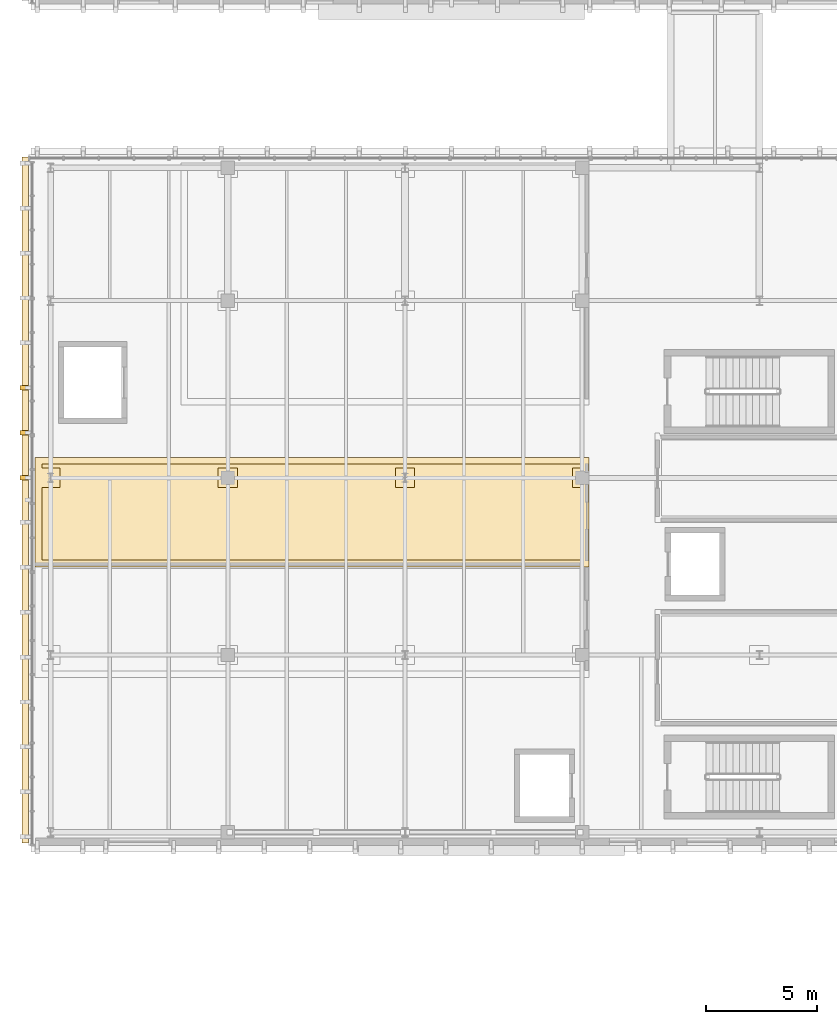
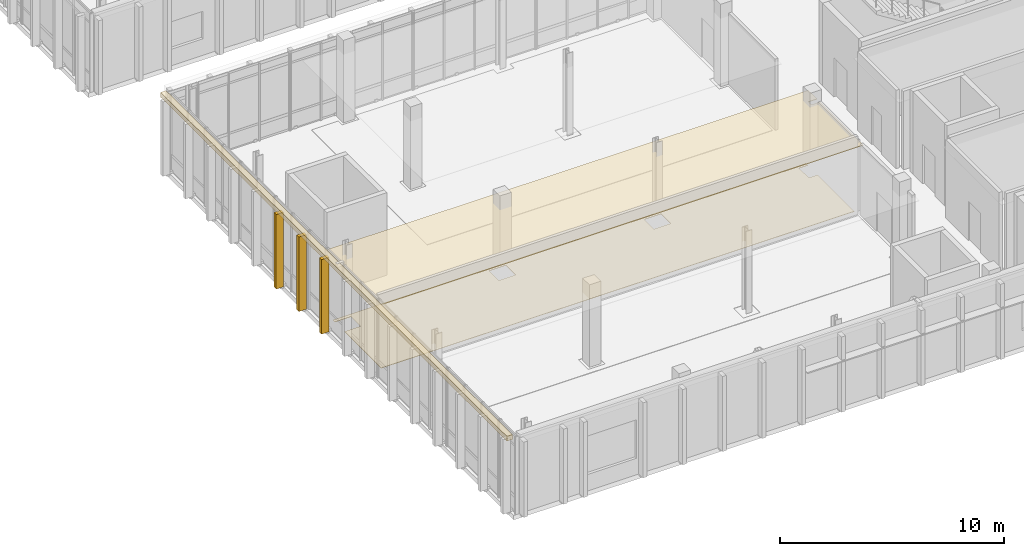
# One storey, part 53 of 62: 6 coverings.
"""IFC4 building model written with IfcOpenShell, lengths in metres."""

from ifc_helpers import new_model, si_unit, direction, frame, origin, origin_2d, place, context, subcontext, project, spatial, polyline, rectangle, outline, extrude, material, layer, layer_set, type_object, element, save


model = new_model("IFC4")

# Units and contexts
model_context = context("Model", 3, precision=1e-05, world=origin(), true_north=direction((0.0, 1.0)))
body_context = subcontext(model_context, "Body", "Model", "MODEL_VIEW")
ifc_project = project(units=[si_unit("LENGTHUNIT", "METRE"), si_unit("AREAUNIT", "SQUARE_METRE"), si_unit("VOLUMEUNIT", "CUBIC_METRE"), si_unit("PLANEANGLEUNIT", "RADIAN"), si_unit("MASSUNIT", "GRAM", prefix="KILO")], contexts=[model_context])

# Site, building, storey
site_placement = place(None, origin())
site = spatial("IfcSite", under=ifc_project, at=site_placement, CompositionType="ELEMENT")
building_placement = place(site_placement, origin())
building = spatial("IfcBuilding", under=site, at=building_placement, Name="Cymarion Research Institute", CompositionType="ELEMENT")
storey_placement = place(building_placement, frame((0.0, 0.0, 18.300048828125)))
storey = spatial("IfcBuildingStorey", under=building, at=storey_placement, Name="L04", CompositionType="ELEMENT", Elevation=18.300048828125)

# Coverings
ifc_material_1 = material(Name="Micro-perforated mineral acoustic ceiling tile", Category="gypsum")
ifc_layer_1 = layer(ifc_material_1, 0.030029296875)
ifc_layer_set_1 = layer_set([ifc_layer_1], Name="Micro-perforated mineral acoustic ceiling tile")
covering_type_1 = type_object("IfcCoveringType", Name="ACOUSTIC MICRO-PERFORATED SUSPENDED CEILING CLG-01", PredefinedType="CEILING", material=ifc_layer_set_1)
covering_1_placement = place(storey_placement, frame((0.0, 0.0, 3.68994140625)))
element("IfcCovering", 1, at=covering_1_placement, inside=storey, type_object=covering_type_1, Name="L04 L04 ISO Class 6 Nanofabrication & Lithography Cleanroom acoustic ceiling", PredefinedType="CEILING", context=body_context, shape_type="SweptSolid", body=[
    extrude(outline(polyline([(30.465087890625, 63.635009765625), (30.465087890625, 63.364990234375), (30.9150390625, 63.364990234375), (30.9150390625, 59.485107421875), (5.905029296875, 59.485107421875), (5.905029296875, 64.4150390625), (30.9150390625, 64.4150390625), (30.9150390625, 63.635009765625), (30.465087890625, 63.635009765625)])), origin(), (0.0, 0.0, 1.0), 0.030029296875),
])
ifc_material_2 = material(Name="Precast concrete C45/55 architectural white", Category="concrete")
ifc_layer_2 = layer(ifc_material_2, 0.260009765625)
ifc_layer_set_2 = layer_set([ifc_layer_2], Name="Precast concrete C45/55 architectural white")
covering_type_2 = type_object("IfcCoveringType", Name="SCULPTURAL WHITE PRECAST CONCRETE SPANDREL BROW BAND RIB2 280MM", PredefinedType="CLADDING", material=ifc_layer_set_2)
covering_2_placement = place(storey_placement, frame((5.4580078125, 62.5, 4.080078125), z_axis=(0.0, 0.0, 1.0), x_axis=(-1.0, 0.0, 0.0)))
element("IfcCovering", 2, at=covering_2_placement, inside=storey, type_object=covering_type_2, Name="L04 V4 precast spandrel brow band RIB2 #880", PredefinedType="CLADDING", context=body_context, shape_type="SweptSolid", body=[
    extrude(rectangle(XDim=0.280029296875, YDim=30.9599609375, at=origin_2d()), origin(), (0.0, 0.0, 1.0), 0.260009765625),
])
ifc_layer_3 = layer(ifc_material_2, 0.199951171875)
ifc_layer_set_3 = layer_set([ifc_layer_3], Name="Precast concrete C45/55 architectural white")
covering_type_3 = type_object("IfcCoveringType", Name="SCULPTURAL WHITE PRECAST CONCRETE VERTICAL RIB RIB1 380X200", PredefinedType="CLADDING", material=ifc_layer_set_3)
for number, where, z_axis, x_axis, name in (
    (3, (5.407958984375, 67.566650390625, 0.010009765625), (0.0, 0.0, 1.0), (-1.0, 0.0, 0.0), "L04 V4 sculptural precast vertical rib RIB1 #886"),
    (4, (5.407958984375, 65.5400390625, 0.010009765625), (0.0, 0.0, 1.0), (-1.0, 0.0, 0.0), "L04 V4 sculptural precast vertical rib RIB1 #887"),
    (5, (5.407958984375, 63.51318359375, 0.010009765625), (0.0, 0.0, 1.0), (-1.0, 0.0, 0.0), "L04 V4 sculptural precast vertical rib RIB1 #888"),
):
    element("IfcCovering", number, at=place(storey_placement, frame(where, z_axis=z_axis, x_axis=x_axis)), inside=storey, type_object=covering_type_3, Name=name, PredefinedType="CLADDING", context=body_context, shape_type="SweptSolid", body=[
        extrude(rectangle(XDim=0.3798828125, YDim=0.199951171875, at=origin_2d()), origin(), (0.0, 0.0, 1.0), 4.06494140625),
    ])
ifc_material_3 = material(Name="Seamless dissipative epoxy resin flooring", Category="resin")
ifc_layer_4 = layer(ifc_material_3, 0.02001953125)
ifc_layer_set_4 = layer_set([ifc_layer_4], Name="Seamless dissipative epoxy resin flooring")
covering_type_4 = type_object("IfcCoveringType", Name="SEAMLESS ESD EPOXY LABORATORY FLOORING FLR-01", PredefinedType="FLOORING", material=ifc_layer_set_4)
covering_3_placement = place(storey_placement, origin())
element("IfcCovering", 6, at=covering_3_placement, inside=storey, type_object=covering_type_4, Name="L04 L04 ISO Class 6 Nanofabrication & Lithography Cleanroom ESD epoxy flooring", PredefinedType="FLOORING", context=body_context, shape_type="SweptSolid", body=[
    extrude(outline(polyline([(6.205078125, 63.93505859375), (6.205078125, 64.114990234375), (30.614990234375, 64.114990234375), (30.614990234375, 63.93505859375), (30.1650390625, 63.93505859375), (30.1650390625, 63.06494140625), (30.614990234375, 63.06494140625), (30.614990234375, 59.784912109375), (6.205078125, 59.784912109375), (6.205078125, 63.06494140625), (7.034912109375, 63.06494140625), (7.034912109375, 63.93505859375), (6.205078125, 63.93505859375)]), holes=[polyline([(22.1650390625, 63.93505859375), (22.1650390625, 63.06494140625), (23.034912109375, 63.06494140625), (23.034912109375, 63.93505859375), (22.1650390625, 63.93505859375)]), polyline([(14.1650390625, 63.93505859375), (14.1650390625, 63.06494140625), (15.034912109375, 63.06494140625), (15.034912109375, 63.93505859375), (14.1650390625, 63.93505859375)])]), origin(), (0.0, 0.0, 1.0), 0.02001953125),
])

save(model, "model.ifc")
